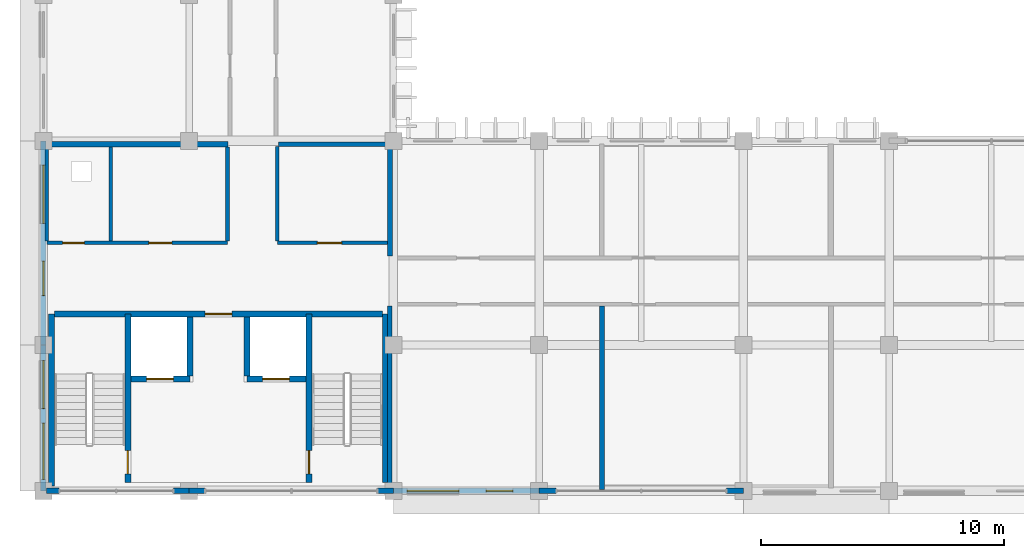
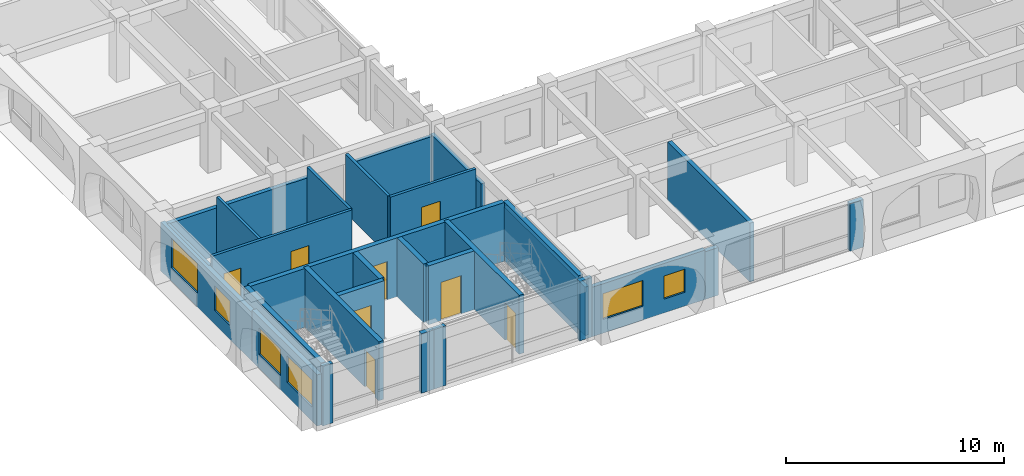
# One storey, part 46 of 88: 29 walls, 8 doors, 6 windows, 14 openings.
"""IFC4 building model written with IfcOpenShell, lengths in metres."""

from ifc_helpers import new_model, si_unit, direction, frame, frame_2d, origin, place, context, subcontext, project, spatial, rectangle, extrude, material, layer, layer_set, type_object, element, fill, save


model = new_model("IFC4")

# Units and contexts
model_context = context("Model", 3, precision=1e-05, world=origin(), true_north=direction((0.0, 1.0)))
body_context = subcontext(model_context, "Body", "Model", "MODEL_VIEW")
ifc_project = project(units=[si_unit("LENGTHUNIT", "METRE"), si_unit("AREAUNIT", "SQUARE_METRE"), si_unit("VOLUMEUNIT", "CUBIC_METRE"), si_unit("PLANEANGLEUNIT", "RADIAN"), si_unit("MASSUNIT", "GRAM", prefix="KILO"), si_unit("THERMODYNAMICTEMPERATUREUNIT", "KELVIN")], contexts=[model_context])

# Site, building, storey
site_placement = place(None, origin())
site = spatial("IfcSite", under=ifc_project, at=site_placement, CompositionType="ELEMENT")
building_placement = place(site_placement, origin())
building = spatial("IfcBuilding", under=site, at=building_placement, Name="Thalorik Housing Commons", CompositionType="ELEMENT")
storey_placement = place(building_placement, frame((0.0, 0.0, 4.5)))
storey = spatial("IfcBuildingStorey", under=building, at=storey_placement, Name="L01", CompositionType="ELEMENT", Elevation=4.5)

# Wall, opening, door
ifc_material_1 = material(Name="Concrete C40/50", Category="concrete")
ifc_layer_1 = layer(ifc_material_1, 0.25, Name="Concrete C40/50", Category="concrete")
ifc_layer_set_1 = layer_set([ifc_layer_1], Name="Concrete C40/50")
wall_type_1 = type_object("IfcWallType", Name="ARC-WAL-CORE-250", PredefinedType="SHEAR", material=ifc_layer_set_1)
wall_1_placement = place(storey_placement, frame((11.875, 8.75, 0.0), z_axis=(0.0, 0.0, 1.0), x_axis=(0.0, 1.0, 0.0)))
wall_1 = element("IfcWall", 1, at=wall_1_placement, inside=storey, type_object=wall_type_1, Name="L01 Core C Stair 1 Shear Wall", PredefinedType="SHEAR", context=body_context, shape_type="SweptSolid", body=[
    extrude(rectangle(XDim=6.925048828125, YDim=0.25, at=frame_2d((3.46240234375, 0.0))), origin(), (0.0, 0.0, 1.0), 3.300048828125),
])
opening_1_placement = place(wall_1_placement, frame((0.35009765625, 0.0, 0.0)))
opening_1 = element("IfcOpeningElement", 2, at=opening_1_placement, cuts=wall_1, Name="Opening ID-0265", PredefinedType="OPENING", context=body_context, shape_type="SweptSolid", body=[
    extrude(rectangle(XDim=0.949951171875, YDim=2.10009765625, at=frame_2d((0.47509765625, 1.050048828125))), frame((0.0, 0.135009765625, 0.0), z_axis=(0.0, -1.0, 0.0), x_axis=(1.0, 0.0, 0.0)), (0.0, 0.0, 1.0), 0.27001953125),
])
ifc_material_2 = material(Name="Steel S355", Category="steel")
door_type_1 = type_object("IfcDoorType", Name="ARC-DR-FD60-950", OperationType="NOTDEFINED", PredefinedType="DOOR", material=ifc_material_2)
door_1_placement = place(opening_1_placement, origin())
door_1 = element("IfcDoor", 3, at=door_1_placement, inside=storey, type_object=door_type_1, Name="L01 Stair ST-C1 Fire Door", OperationType="SINGLE_SWING_RIGHT", OverallHeight=2.10009765625, OverallWidth=0.949951171875, PredefinedType="DOOR", context=body_context, shape_type="SweptSolid", body=[
    extrude(rectangle(XDim=0.949951171875, YDim=2.10009765625, at=frame_2d((0.47509765625, 1.050048828125))), frame((0.0, 0.02490234375, 0.0), z_axis=(0.0, -1.0, 0.0), x_axis=(1.0, 0.0, 0.0)), (0.0, 0.0, 1.0), 0.050048828125),
])
fill(opening_1, door_1)

# Walls
wall_2_placement = place(storey_placement, frame((8.72509765625, 8.60009765625, 0.0), z_axis=(0.0, 0.0, 1.0), x_axis=(0.0, 1.0, 0.0)))
element("IfcWall", 4, at=wall_2_placement, inside=storey, type_object=wall_type_1, Name="L01 Core C Stair 1 Outer Shear Wall", PredefinedType="SHEAR", context=body_context, shape_type="SweptSolid", body=[
    extrude(rectangle(XDim=7.074951171875, YDim=0.25, at=frame_2d((3.53759765625, 0.0))), origin(), (0.0, 0.0, 1.0), 3.300048828125),
])
wall_3_placement = place(storey_placement, frame((22.47509765625, 8.75, 0.0), z_axis=(0.0, 0.0, 1.0), x_axis=(0.0, 1.0, 0.0)))
element("IfcWall", 5, at=wall_3_placement, inside=storey, type_object=wall_type_1, Name="L01 Core C Stair 2 Outer Shear Wall", PredefinedType="SHEAR", context=body_context, shape_type="SweptSolid", body=[
    extrude(rectangle(XDim=6.925048828125, YDim=0.25, at=frame_2d((3.46240234375, 0.0))), origin(), (0.0, 0.0, 1.0), 3.300048828125),
])

# Wall, opening, door
wall_4_placement = place(storey_placement, frame((19.324951171875, 8.75, 0.0), z_axis=(0.0, 0.0, 1.0), x_axis=(0.0, 1.0, 0.0)))
wall_4 = element("IfcWall", 6, at=wall_4_placement, inside=storey, type_object=wall_type_1, Name="L01 Core C Stair 2 Shear Wall", PredefinedType="SHEAR", context=body_context, shape_type="SweptSolid", body=[
    extrude(rectangle(XDim=6.925048828125, YDim=0.25, at=frame_2d((3.46240234375, 0.0))), origin(), (0.0, 0.0, 1.0), 3.300048828125),
])
opening_2_placement = place(wall_4_placement, frame((0.35009765625, 0.0, 0.0)))
opening_2 = element("IfcOpeningElement", 7, at=opening_2_placement, cuts=wall_4, Name="Opening ID-0266", PredefinedType="OPENING", context=body_context, shape_type="SweptSolid", body=[
    extrude(rectangle(XDim=0.949951171875, YDim=2.10009765625, at=frame_2d((0.47509765625, 1.050048828125))), frame((0.0, 0.135009765625, 0.0), z_axis=(0.0, -1.0, 0.0), x_axis=(1.0, 0.0, 0.0)), (0.0, 0.0, 1.0), 0.27001953125),
])
door_2_placement = place(opening_2_placement, origin())
door_2 = element("IfcDoor", 8, at=door_2_placement, inside=storey, type_object=door_type_1, Name="L01 Stair ST-C2 Fire Door", OperationType="SINGLE_SWING_LEFT", OverallHeight=2.10009765625, OverallWidth=0.949951171875, PredefinedType="DOOR", context=body_context, shape_type="SweptSolid", body=[
    extrude(rectangle(XDim=0.949951171875, YDim=2.10009765625, at=frame_2d((0.47509765625, 1.050048828125))), frame((0.0, 0.02490234375, 0.0), z_axis=(0.0, -1.0, 0.0), x_axis=(1.0, 0.0, 0.0)), (0.0, 0.0, 1.0), 0.050048828125),
])
fill(opening_2, door_2)

wall_5_placement = place(storey_placement, frame((12.0, 13.0, 0.0), z_axis=(0.0, 0.0, 1.0), x_axis=(1.0, 0.0, 0.0)))
wall_5 = element("IfcWall", 9, at=wall_5_placement, inside=storey, type_object=wall_type_1, Name="L01 Lift LF-C1 Front Shaft Wall", PredefinedType="SHEAR", context=body_context, shape_type="SweptSolid", body=[
    extrude(rectangle(XDim=2.425048828125, YDim=0.25, at=frame_2d((1.21240234375, 0.0))), origin(), (0.0, 0.0, 1.0), 3.300048828125),
])
opening_3_placement = place(wall_5_placement, frame((0.64990234375, 0.0, 0.0)))
opening_3 = element("IfcOpeningElement", 10, at=opening_3_placement, cuts=wall_5, Name="Opening LD-LF-C1-L01", PredefinedType="OPENING", context=body_context, shape_type="SweptSolid", body=[
    extrude(rectangle(XDim=1.10009765625, YDim=2.14990234375, at=frame_2d((0.550048828125, 1.074951171875))), frame((0.0, 0.135009765625, 0.0), z_axis=(0.0, -1.0, 0.0), x_axis=(1.0, 0.0, 0.0)), (0.0, 0.0, 1.0), 0.27001953125),
])
door_type_2 = type_object("IfcDoorType", Name="ARC-DR-LIFT-1100", OperationType="NOTDEFINED", PredefinedType="DOOR", material=ifc_material_2)
door_3_placement = place(opening_3_placement, origin())
door_3 = element("IfcDoor", 11, at=door_3_placement, inside=storey, type_object=door_type_2, Name="L01 Lift LF-C1 Landing Door", OperationType="SLIDING_TO_LEFT", OverallHeight=2.14990234375, OverallWidth=1.10009765625, PredefinedType="DOOR", context=body_context, shape_type="SweptSolid", body=[
    extrude(rectangle(XDim=1.10009765625, YDim=2.14990234375, at=frame_2d((0.550048828125, 1.074951171875))), frame((0.0, 0.02490234375, 0.0), z_axis=(0.0, -1.0, 0.0), x_axis=(1.0, 0.0, 0.0)), (0.0, 0.0, 1.0), 0.050048828125),
])
fill(opening_3, door_3)

wall_6_placement = place(storey_placement, frame((16.77490234375, 13.0, 0.0), z_axis=(0.0, 0.0, 1.0), x_axis=(1.0, 0.0, 0.0)))
wall_6 = element("IfcWall", 12, at=wall_6_placement, inside=storey, type_object=wall_type_1, Name="L01 Lift LP-C2 Front Shaft Wall", PredefinedType="SHEAR", context=body_context, shape_type="SweptSolid", body=[
    extrude(rectangle(XDim=2.425048828125, YDim=0.25, at=frame_2d((1.21240234375, 0.0))), origin(), (0.0, 0.0, 1.0), 3.300048828125),
])
opening_4_placement = place(wall_6_placement, frame((0.64990234375, 0.0, 0.0)))
opening_4 = element("IfcOpeningElement", 13, at=opening_4_placement, cuts=wall_6, Name="Opening LD-LP-C2-L01", PredefinedType="OPENING", context=body_context, shape_type="SweptSolid", body=[
    extrude(rectangle(XDim=1.10009765625, YDim=2.14990234375, at=frame_2d((0.550048828125, 1.074951171875))), frame((0.0, 0.135009765625, 0.0), z_axis=(0.0, -1.0, 0.0), x_axis=(1.0, 0.0, 0.0)), (0.0, 0.0, 1.0), 0.27001953125),
])
door_4_placement = place(opening_4_placement, origin())
door_4 = element("IfcDoor", 14, at=door_4_placement, inside=storey, type_object=door_type_2, Name="L01 Lift LP-C2 Landing Door", OperationType="SLIDING_TO_LEFT", OverallHeight=2.14990234375, OverallWidth=1.10009765625, PredefinedType="DOOR", context=body_context, shape_type="SweptSolid", body=[
    extrude(rectangle(XDim=1.10009765625, YDim=2.14990234375, at=frame_2d((0.550048828125, 1.074951171875))), frame((0.0, 0.02490234375, 0.0), z_axis=(0.0, -1.0, 0.0), x_axis=(1.0, 0.0, 0.0)), (0.0, 0.0, 1.0), 0.050048828125),
])
fill(opening_4, door_4)

# Walls
for number, where, z_axis, x_axis, name in (
    (15, (14.425048828125, 13.125, 0.0), (0.0, 0.0, 1.0), (0.0, 1.0, 0.0), "L01 Lift 1 Cheek Wall"),
    (16, (16.77490234375, 13.125, 0.0), (0.0, 0.0, 1.0), (0.0, 1.0, 0.0), "L01 Lift 2 Cheek Wall"),
):
    element("IfcWall", number, at=place(storey_placement, frame(where, z_axis=z_axis, x_axis=x_axis)), inside=storey, type_object=wall_type_1, Name=name, PredefinedType="SHEAR", context=body_context, shape_type="SweptSolid", body=[
        extrude(rectangle(XDim=2.425048828125, YDim=0.25, at=frame_2d((1.21240234375, 0.0))), origin(), (0.0, 0.0, 1.0), 3.300048828125),
    ])

# Wall, opening, door
wall_7_placement = place(storey_placement, frame((8.85009765625, 15.675048828125, 0.0), z_axis=(0.0, 0.0, 1.0), x_axis=(1.0, 0.0, 0.0)))
wall_7 = element("IfcWall", 17, at=wall_7_placement, inside=storey, type_object=wall_type_1, Name="L01 Core C Spine Shear Wall", PredefinedType="SHEAR", context=body_context, shape_type="SweptSolid", body=[
    extrude(rectangle(XDim=13.5, YDim=0.25, at=frame_2d((6.75, 0.0))), origin(), (0.0, 0.0, 1.0), 3.300048828125),
])
opening_5_placement = place(wall_7_placement, frame((6.199951171875, 0.0, 0.0)))
opening_5 = element("IfcOpeningElement", 18, at=opening_5_placement, cuts=wall_7, Name="Opening ID-0269", PredefinedType="OPENING", context=body_context, shape_type="SweptSolid", body=[
    extrude(rectangle(XDim=1.10009765625, YDim=2.14990234375, at=frame_2d((0.550048828125, 1.074951171875))), frame((0.0, 0.135009765625, 0.0), z_axis=(0.0, -1.0, 0.0), x_axis=(1.0, 0.0, 0.0)), (0.0, 0.0, 1.0), 0.27001953125),
])
door_type_3 = type_object("IfcDoorType", Name="ARC-DR-FD60-1100", OperationType="NOTDEFINED", PredefinedType="DOOR", material=ifc_material_2)
door_5_placement = place(opening_5_placement, origin())
door_5 = element("IfcDoor", 19, at=door_5_placement, inside=storey, type_object=door_type_3, Name="L01 Core C Lobby Fire Door", OperationType="SINGLE_SWING_RIGHT", OverallHeight=2.14990234375, OverallWidth=1.10009765625, PredefinedType="DOOR", context=body_context, shape_type="SweptSolid", body=[
    extrude(rectangle(XDim=1.10009765625, YDim=2.14990234375, at=frame_2d((0.550048828125, 1.074951171875))), frame((0.0, 0.02490234375, 0.0), z_axis=(0.0, -1.0, 0.0), x_axis=(1.0, 0.0, 0.0)), (0.0, 0.0, 1.0), 0.050048828125),
])
fill(opening_5, door_5)

# Wall, openings, windows
ifc_material_3 = material(Name="White precast concrete C40/50", Category="concrete")
ifc_layer_2 = layer(ifc_material_3, 0.235107421875, Name="White precast concrete C40/50", Category="concrete")
ifc_layer_set_2 = layer_set([ifc_layer_2], Name="White precast concrete C40/50")
wall_type_2 = type_object("IfcWallType", Name="ARC-WAL-EXT-235", PredefinedType="STANDARD", material=ifc_layer_set_2)
wall_8_placement = place(storey_placement, frame((8.39990234375, 22.800048828125, 0.0), z_axis=(0.0, 0.0, 1.0), x_axis=(0.0, -1.0, 0.0)))
wall_8 = element("IfcWall", 20, at=wall_8_placement, inside=storey, type_object=wall_type_2, Name="L01 Exterior Wall WAL-EXT-L01-C-0861", PredefinedType="STANDARD", context=body_context, shape_type="SweptSolid", body=[
    extrude(rectangle(XDim=8.400146484375, YDim=0.235107421875, at=frame_2d((4.2001953125, 0.0))), origin(), (0.0, 0.0, 1.0), 2.72509765625),
])
opening_6_placement = place(wall_8_placement, frame((0.9951171875, 0.0, 0.780029296875)))
opening_6 = element("IfcOpeningElement", 21, at=opening_6_placement, cuts=wall_8, Name="Opening W-34", PredefinedType="OPENING", context=body_context, shape_type="SweptSolid", body=[
    extrude(rectangle(XDim=2.39990234375, YDim=1.64990234375, at=frame_2d((1.199951171875, 0.824951171875))), frame((0.0, 0.12744140625, 0.0), z_axis=(0.0, -1.0, 0.0), x_axis=(1.0, 0.0, 0.0)), (0.0, 0.0, 1.0), 0.255126953125),
])
opening_7_placement = place(wall_8_placement, frame((4.952392578125, 0.0, 0.780029296875)))
opening_7 = element("IfcOpeningElement", 22, at=opening_7_placement, cuts=wall_8, Name="Opening W-50", PredefinedType="OPENING", context=body_context, shape_type="SweptSolid", body=[
    extrude(rectangle(XDim=1.419921875, YDim=1.3798828125, at=frame_2d((0.7099609375, 0.68994140625))), frame((0.0, 0.12744140625, 0.0), z_axis=(0.0, -1.0, 0.0), x_axis=(1.0, 0.0, 0.0)), (0.0, 0.0, 1.0), 0.255126953125),
])
ifc_material_4 = material(Name="Anodised aluminium and solar-control low-E glass", Category="aluminium")
window_type_1 = type_object("IfcWindowType", Name="ARC-WIN-34", PartitioningType="DOUBLE_PANEL_VERTICAL", PredefinedType="WINDOW", material=ifc_material_4)
window_1_placement = place(opening_6_placement, origin())
window_1 = element("IfcWindow", 23, at=window_1_placement, inside=storey, type_object=window_type_1, Name="L01 Facade Window 1595", OverallHeight=1.64990234375, OverallWidth=2.39990234375, PartitioningType="DOUBLE_PANEL_VERTICAL", PredefinedType="WINDOW", context=body_context, shape_type="SweptSolid", body=[
    extrude(rectangle(XDim=2.39990234375, YDim=1.64990234375, at=frame_2d((1.199951171875, 0.824951171875))), frame((0.0, 0.030029296875, 0.0), z_axis=(0.0, -1.0, 0.0), x_axis=(1.0, 0.0, 0.0)), (0.0, 0.0, 1.0), 0.06005859375),
])
fill(opening_6, window_1)
window_type_2 = type_object("IfcWindowType", Name="ARC-WIN-50", PartitioningType="SINGLE_PANEL", PredefinedType="WINDOW", material=ifc_material_4)
window_2_placement = place(opening_7_placement, origin())
window_2 = element("IfcWindow", 24, at=window_2_placement, inside=storey, type_object=window_type_2, Name="L01 Facade Window 1596", OverallHeight=1.3798828125, OverallWidth=1.419921875, PartitioningType="SINGLE_PANEL", PredefinedType="WINDOW", context=body_context, shape_type="SweptSolid", body=[
    extrude(rectangle(XDim=1.419921875, YDim=1.3798828125, at=frame_2d((0.7099609375, 0.68994140625))), frame((0.0, 0.030029296875, 0.0), z_axis=(0.0, -1.0, 0.0), x_axis=(1.0, 0.0, 0.0)), (0.0, 0.0, 1.0), 0.06005859375),
])
fill(opening_7, window_2)

wall_9_placement = place(storey_placement, frame((8.39990234375, 14.39990234375, 0.0), z_axis=(0.0, 0.0, 1.0), x_axis=(0.0, -1.0, 0.0)))
wall_9 = element("IfcWall", 25, at=wall_9_placement, inside=storey, type_object=wall_type_2, Name="L01 Exterior Wall WAL-EXT-L01-C-0862", PredefinedType="STANDARD", context=body_context, shape_type="SweptSolid", body=[
    extrude(rectangle(XDim=6.0, YDim=0.235107421875, at=frame_2d((3.0, 0.0))), origin(), (0.0, 0.0, 1.0), 2.875),
])
opening_8_placement = place(wall_9_placement, frame((0.639892578125, 0.0, 0.780029296875)))
opening_8 = element("IfcOpeningElement", 26, at=opening_8_placement, cuts=wall_9, Name="Opening W-61", PredefinedType="OPENING", context=body_context, shape_type="SweptSolid", body=[
    extrude(rectangle(XDim=1.97998046875, YDim=1.5, at=frame_2d((0.989990234375, 0.75))), frame((0.0, 0.12744140625, 0.0), z_axis=(0.0, -1.0, 0.0), x_axis=(1.0, 0.0, 0.0)), (0.0, 0.0, 1.0), 0.255126953125),
])
opening_9_placement = place(wall_9_placement, frame((3.2099609375, 0.0, 0.780029296875)))
opening_9 = element("IfcOpeningElement", 27, at=opening_9_placement, cuts=wall_9, Name="Opening W-68", PredefinedType="OPENING", context=body_context, shape_type="SweptSolid", body=[
    extrude(rectangle(XDim=2.320068359375, YDim=1.5, at=frame_2d((1.16015625, 0.75))), frame((0.0, 0.12744140625, 0.0), z_axis=(0.0, -1.0, 0.0), x_axis=(1.0, 0.0, 0.0)), (0.0, 0.0, 1.0), 0.255126953125),
])
window_type_3 = type_object("IfcWindowType", Name="ARC-WIN-61", PartitioningType="DOUBLE_PANEL_VERTICAL", PredefinedType="WINDOW", material=ifc_material_4)
window_3_placement = place(opening_8_placement, origin())
window_3 = element("IfcWindow", 28, at=window_3_placement, inside=storey, type_object=window_type_3, Name="L01 Facade Window 1597", OverallHeight=1.5, OverallWidth=1.97998046875, PartitioningType="DOUBLE_PANEL_VERTICAL", PredefinedType="WINDOW", context=body_context, shape_type="SweptSolid", body=[
    extrude(rectangle(XDim=1.97998046875, YDim=1.5, at=frame_2d((0.989990234375, 0.75))), frame((0.0, 0.030029296875, 0.0), z_axis=(0.0, -1.0, 0.0), x_axis=(1.0, 0.0, 0.0)), (0.0, 0.0, 1.0), 0.06005859375),
])
fill(opening_8, window_3)
window_type_4 = type_object("IfcWindowType", Name="ARC-WIN-68", PartitioningType="DOUBLE_PANEL_VERTICAL", PredefinedType="WINDOW", material=ifc_material_4)
window_4_placement = place(opening_9_placement, origin())
window_4 = element("IfcWindow", 29, at=window_4_placement, inside=storey, type_object=window_type_4, Name="L01 Facade Window 1598", OverallHeight=1.5, OverallWidth=2.320068359375, PartitioningType="DOUBLE_PANEL_VERTICAL", PredefinedType="WINDOW", context=body_context, shape_type="SweptSolid", body=[
    extrude(rectangle(XDim=2.320068359375, YDim=1.5, at=frame_2d((1.16015625, 0.75))), frame((0.0, 0.030029296875, 0.0), z_axis=(0.0, -1.0, 0.0), x_axis=(1.0, 0.0, 0.0)), (0.0, 0.0, 1.0), 0.06005859375),
])
fill(opening_9, window_4)

# Walls
wall_10_placement = place(storey_placement, frame((8.51953125, 8.39990234375, 0.0), z_axis=(0.0, 0.0, 1.0), x_axis=(1.0, 0.0, 0.0)))
element("IfcWall", 30, at=wall_10_placement, inside=storey, type_object=wall_type_2, Name="L01 Exterior Wall WAL-PIERL-L01-C-0863", PredefinedType="STANDARD", context=body_context, shape_type="SweptSolid", body=[
    extrude(rectangle(XDim=0.530517578125, YDim=0.235107421875, at=frame_2d((0.26513671875, 0.0))), origin(), (0.0, 0.0, 1.0), 3.340087890625),
])
wall_11_placement = place(storey_placement, frame((13.75, 8.39990234375, 0.0), z_axis=(0.0, 0.0, 1.0), x_axis=(1.0, 0.0, 0.0)))
element("IfcWall", 31, at=wall_11_placement, inside=storey, type_object=wall_type_2, Name="L01 Exterior Wall WAL-PIERR-L01-C-0863", PredefinedType="STANDARD", context=body_context, shape_type="SweptSolid", body=[
    extrude(rectangle(XDim=0.64990234375, YDim=0.235107421875, at=frame_2d((0.324951171875, 0.0))), origin(), (0.0, 0.0, 1.0), 3.340087890625),
])
for number, where, z_axis, x_axis, name in (
    (32, (14.39990234375, 8.39990234375, 0.0), (0.0, 0.0, 1.0), (1.0, 0.0, 0.0), "L01 Exterior Wall WAL-PIERL-L01-C-0864"),
    (33, (22.14990234375, 8.39990234375, 0.0), (0.0, 0.0, 1.0), (1.0, 0.0, 0.0), "L01 Exterior Wall WAL-PIERR-L01-C-0864"),
):
    element("IfcWall", number, at=place(storey_placement, frame(where, z_axis=z_axis, x_axis=x_axis)), inside=storey, type_object=wall_type_2, Name=name, PredefinedType="STANDARD", context=body_context, shape_type="SweptSolid", body=[
        extrude(rectangle(XDim=0.650146484375, YDim=0.235107421875, at=frame_2d((0.3251953125, 0.0))), origin(), (0.0, 0.0, 1.0), 3.340087890625),
    ])

# Wall, openings, windows
wall_12_placement = place(storey_placement, frame((22.800048828125, 8.39990234375, 0.0), z_axis=(0.0, 0.0, 1.0), x_axis=(1.0, 0.0, 0.0)))
wall_12 = element("IfcWall", 34, at=wall_12_placement, inside=storey, type_object=wall_type_2, Name="L01 Exterior Wall WAL-EXT-L01-C-0865", PredefinedType="STANDARD", context=body_context, shape_type="SweptSolid", body=[
    extrude(rectangle(XDim=6.0, YDim=0.235107421875, at=frame_2d((3.0, 0.0))), origin(), (0.0, 0.0, 1.0), 2.77490234375),
])
opening_10_placement = place(wall_12_placement, frame((0.570068359375, 0.0, 0.780029296875)))
opening_10 = element("IfcOpeningElement", 35, at=opening_10_placement, cuts=wall_12, Name="Opening W-64", PredefinedType="OPENING", context=body_context, shape_type="SweptSolid", body=[
    extrude(rectangle(XDim=2.1201171875, YDim=1.43994140625, at=frame_2d((1.06005859375, 0.719970703125))), frame((0.0, 0.12744140625, 0.0), z_axis=(0.0, -1.0, 0.0), x_axis=(1.0, 0.0, 0.0)), (0.0, 0.0, 1.0), 0.255126953125),
])
opening_11_placement = place(wall_12_placement, frame((3.820068359375, 0.0, 0.780029296875)))
opening_11 = element("IfcOpeningElement", 36, at=opening_11_placement, cuts=wall_12, Name="Opening W-03", PredefinedType="OPENING", context=body_context, shape_type="SweptSolid", body=[
    extrude(rectangle(XDim=1.10009765625, YDim=1.300048828125, at=frame_2d((0.550048828125, 0.64990234375))), frame((0.0, 0.12744140625, 0.0), z_axis=(0.0, -1.0, 0.0), x_axis=(1.0, 0.0, 0.0)), (0.0, 0.0, 1.0), 0.255126953125),
])
window_type_5 = type_object("IfcWindowType", Name="ARC-WIN-03", PartitioningType="SINGLE_PANEL", PredefinedType="WINDOW", material=ifc_material_4)
window_5_placement = place(opening_11_placement, origin())
window_5 = element("IfcWindow", 37, at=window_5_placement, inside=storey, type_object=window_type_5, Name="L01 Facade Window 1600", OverallHeight=1.300048828125, OverallWidth=1.10009765625, PartitioningType="SINGLE_PANEL", PredefinedType="WINDOW", context=body_context, shape_type="SweptSolid", body=[
    extrude(rectangle(XDim=1.10009765625, YDim=1.300048828125, at=frame_2d((0.550048828125, 0.64990234375))), frame((0.0, 0.030029296875, 0.0), z_axis=(0.0, -1.0, 0.0), x_axis=(1.0, 0.0, 0.0)), (0.0, 0.0, 1.0), 0.06005859375),
])
fill(opening_11, window_5)
window_type_6 = type_object("IfcWindowType", Name="ARC-WIN-64", PartitioningType="DOUBLE_PANEL_VERTICAL", PredefinedType="WINDOW", material=ifc_material_4)
window_6_placement = place(opening_10_placement, origin())
window_6 = element("IfcWindow", 38, at=window_6_placement, inside=storey, type_object=window_type_6, Name="L01 Facade Window 1599", OverallHeight=1.43994140625, OverallWidth=2.1201171875, PartitioningType="DOUBLE_PANEL_VERTICAL", PredefinedType="WINDOW", context=body_context, shape_type="SweptSolid", body=[
    extrude(rectangle(XDim=2.1201171875, YDim=1.43994140625, at=frame_2d((1.06005859375, 0.719970703125))), frame((0.0, 0.030029296875, 0.0), z_axis=(0.0, -1.0, 0.0), x_axis=(1.0, 0.0, 0.0)), (0.0, 0.0, 1.0), 0.06005859375),
])
fill(opening_10, window_6)

# Walls
for number, where, z_axis, x_axis, name in (
    (39, (28.800048828125, 8.39990234375, 0.0), (0.0, 0.0, 1.0), (1.0, 0.0, 0.0), "L01 Exterior Wall WAL-PIERL-L01-C-0866"),
    (40, (36.5, 8.39990234375, 0.0), (0.0, 0.0, 1.0), (1.0, 0.0, 0.0), "L01 Exterior Wall WAL-PIERR-L01-C-0866"),
):
    element("IfcWall", number, at=place(storey_placement, frame(where, z_axis=z_axis, x_axis=x_axis)), inside=storey, type_object=wall_type_2, Name=name, PredefinedType="STANDARD", context=body_context, shape_type="SweptSolid", body=[
        extrude(rectangle(XDim=0.699951171875, YDim=0.235107421875, at=frame_2d((0.35009765625, 0.0))), origin(), (0.0, 0.0, 1.0), 2.675048828125),
    ])
ifc_material_5 = material(Name="Ceramic masonry partition wall", Category="masonry")
ifc_layer_3 = layer(ifc_material_5, 0.14794921875, Name="Ceramic masonry partition wall", Category="masonry")
ifc_layer_set_3 = layer_set([ifc_layer_3], Name="Ceramic masonry partition wall")
wall_type_3 = type_object("IfcWallType", Name="ARC-WAL-PART-150", PredefinedType="PARTITIONING", material=ifc_layer_set_3)
wall_13_placement = place(storey_placement, frame((8.5400390625, 18.676025390625, 0.0), z_axis=(0.0, 0.0, 1.0), x_axis=(0.0, 1.0, 0.0)))
element("IfcWall", 41, at=wall_13_placement, inside=storey, type_object=wall_type_3, Name="Core West Enclosing Wall", PredefinedType="PARTITIONING", context=body_context, shape_type="SweptSolid", body=[
    extrude(rectangle(XDim=3.8720703125, YDim=0.14794921875, at=frame_2d((1.93603515625, 0.0))), origin(), (0.0, 0.0, 1.0), 2.72509765625),
])
for number, where, z_axis, x_axis, name in (
    (42, (11.175048828125, 18.676025390625, 0.0), (0.0, 0.0, 1.0), (0.0, 1.0, 0.0), "Riser Wall"),
    (43, (15.97509765625, 18.676025390625, 0.0), (0.0, 0.0, 1.0), (0.0, 1.0, 0.0), "Core Stem West Cheek Wall"),
):
    element("IfcWall", number, at=place(storey_placement, frame(where, z_axis=z_axis, x_axis=x_axis)), inside=storey, type_object=wall_type_3, Name=name, PredefinedType="PARTITIONING", context=body_context, shape_type="SweptSolid", body=[
        extrude(rectangle(XDim=3.8720703125, YDim=0.14794921875, at=frame_2d((1.93603515625, 0.0))), origin(), (0.0, 0.0, 1.0), 3.300048828125),
    ])
wall_14_placement = place(storey_placement, frame((18.02490234375, 18.676025390625, 0.0), z_axis=(0.0, 0.0, 1.0), x_axis=(0.0, 1.0, 0.0)))
element("IfcWall", 44, at=wall_14_placement, inside=storey, type_object=wall_type_3, Name="Core Stem East Cheek Wall", PredefinedType="PARTITIONING", context=body_context, shape_type="SweptSolid", body=[
    extrude(rectangle(XDim=3.889404296875, YDim=0.14794921875, at=frame_2d((1.94482421875, 0.0))), origin(), (0.0, 0.0, 1.0), 3.300048828125),
])

# Wall, openings, doors
wall_15_placement = place(storey_placement, frame((8.5400390625, 18.60009765625, 0.0), z_axis=(0.0, 0.0, 1.0), x_axis=(1.0, 0.0, 0.0)))
wall_15 = element("IfcWall", 45, at=wall_15_placement, inside=storey, type_object=wall_type_3, Name="L01 Core C West Corridor Partition", PredefinedType="PARTITIONING", context=body_context, shape_type="SweptSolid", body=[
    extrude(rectangle(XDim=7.43505859375, YDim=0.14794921875, at=frame_2d((3.717529296875, 0.0))), origin(), (0.0, 0.0, 1.0), 3.300048828125),
])
opening_12_placement = place(wall_15_placement, frame((0.64990234375, 0.0, 0.0)))
opening_12 = element("IfcOpeningElement", 46, at=opening_12_placement, cuts=wall_15, Name="Opening ID-0270", PredefinedType="OPENING", context=body_context, shape_type="SweptSolid", body=[
    extrude(rectangle(XDim=0.89990234375, YDim=2.10009765625, at=frame_2d((0.449951171875, 1.050048828125))), frame((0.0, 0.083984375, 0.0), z_axis=(0.0, -1.0, 0.0), x_axis=(1.0, 0.0, 0.0)), (0.0, 0.0, 1.0), 0.16796875),
])
opening_13_placement = place(wall_15_placement, frame((4.199951171875, 0.0, 0.0)))
opening_13 = element("IfcOpeningElement", 47, at=opening_13_placement, cuts=wall_15, Name="Opening ID-0271", PredefinedType="OPENING", context=body_context, shape_type="SweptSolid", body=[
    extrude(rectangle(XDim=0.949951171875, YDim=2.10009765625, at=frame_2d((0.47509765625, 1.050048828125))), frame((0.0, 0.083984375, 0.0), z_axis=(0.0, -1.0, 0.0), x_axis=(1.0, 0.0, 0.0)), (0.0, 0.0, 1.0), 0.16796875),
])
door_type_4 = type_object("IfcDoorType", Name="ARC-DR-FD60-900", OperationType="NOTDEFINED", PredefinedType="DOOR", material=ifc_material_2)
door_6_placement = place(opening_12_placement, origin())
door_6 = element("IfcDoor", 48, at=door_6_placement, inside=storey, type_object=door_type_4, Name="Electrical Riser Door", OperationType="SINGLE_SWING_LEFT", OverallHeight=2.10009765625, OverallWidth=0.89990234375, PredefinedType="DOOR", context=body_context, shape_type="SweptSolid", body=[
    extrude(rectangle(XDim=0.89990234375, YDim=2.10009765625, at=frame_2d((0.449951171875, 1.050048828125))), frame((0.0, 0.02490234375, 0.0), z_axis=(0.0, -1.0, 0.0), x_axis=(1.0, 0.0, 0.0)), (0.0, 0.0, 1.0), 0.050048828125),
])
fill(opening_12, door_6)
ifc_material_6 = material(Name="Engineered oak timber", Category="wood")
door_type_5 = type_object("IfcDoorType", Name="ARC-DR-INT-950", OperationType="NOTDEFINED", PredefinedType="DOOR", material=ifc_material_6)
door_7_placement = place(opening_13_placement, origin())
door_7 = element("IfcDoor", 49, at=door_7_placement, inside=storey, type_object=door_type_5, Name="Accessible Bathroom Door", OperationType="SINGLE_SWING_RIGHT", OverallHeight=2.10009765625, OverallWidth=0.949951171875, PredefinedType="DOOR", context=body_context, shape_type="SweptSolid", body=[
    extrude(rectangle(XDim=0.949951171875, YDim=2.10009765625, at=frame_2d((0.47509765625, 1.050048828125))), frame((0.0, 0.02490234375, 0.0), z_axis=(0.0, -1.0, 0.0), x_axis=(1.0, 0.0, 0.0)), (0.0, 0.0, 1.0), 0.050048828125),
])
fill(opening_13, door_7)

# Wall, opening, door
wall_16_placement = place(storey_placement, frame((18.02490234375, 18.60009765625, 0.0), z_axis=(0.0, 0.0, 1.0), x_axis=(1.0, 0.0, 0.0)))
wall_16 = element("IfcWall", 50, at=wall_16_placement, inside=storey, type_object=wall_type_3, Name="L01 Core C East Corridor Partition", PredefinedType="PARTITIONING", context=body_context, shape_type="SweptSolid", body=[
    extrude(rectangle(XDim=4.533203125, YDim=0.14794921875, at=frame_2d((2.2666015625, 0.0))), origin(), (0.0, 0.0, 1.0), 3.300048828125),
])
opening_14_placement = place(wall_16_placement, frame((1.64990234375, 0.0, 0.0)))
opening_14 = element("IfcOpeningElement", 51, at=opening_14_placement, cuts=wall_16, Name="Opening ID-0272", PredefinedType="OPENING", context=body_context, shape_type="SweptSolid", body=[
    extrude(rectangle(XDim=1.0, YDim=2.14990234375, at=frame_2d((0.5, 1.074951171875))), frame((0.0, 0.083984375, 0.0), z_axis=(0.0, -1.0, 0.0), x_axis=(1.0, 0.0, 0.0)), (0.0, 0.0, 1.0), 0.16796875),
])
door_type_6 = type_object("IfcDoorType", Name="ARC-DR-FD60-1000", OperationType="NOTDEFINED", PredefinedType="DOOR", material=ifc_material_2)
door_8_placement = place(opening_14_placement, origin())
door_8 = element("IfcDoor", 52, at=door_8_placement, inside=storey, type_object=door_type_6, Name="Core Hub Room Door", OperationType="SINGLE_SWING_LEFT", OverallHeight=2.14990234375, OverallWidth=1.0, PredefinedType="DOOR", context=body_context, shape_type="SweptSolid", body=[
    extrude(rectangle(XDim=1.0, YDim=2.14990234375, at=frame_2d((0.5, 1.074951171875))), frame((0.0, 0.02490234375, 0.0), z_axis=(0.0, -1.0, 0.0), x_axis=(1.0, 0.0, 0.0)), (0.0, 0.0, 1.0), 0.050048828125),
])
fill(opening_14, door_8)

# Walls
ifc_material_7 = material(Name="Masonry acoustic blockwork wall", Category="masonry")
ifc_layer_4 = layer(ifc_material_7, 0.18505859375, Name="Masonry acoustic blockwork wall", Category="masonry")
ifc_layer_set_4 = layer_set([ifc_layer_4], Name="Masonry acoustic blockwork wall")
wall_type_4 = type_object("IfcWallType", Name="ARC-WAL-PARTY-185", PredefinedType="PARTITIONING", material=ifc_layer_set_4)
wall_17_placement = place(storey_placement, frame((18.064453125, 22.659912109375, 0.0), z_axis=(0.0, 0.0, 1.0), x_axis=(1.0, 0.0, 0.0)))
element("IfcWall", 53, at=wall_17_placement, inside=storey, type_object=wall_type_4, Name="L01 Inter-Tenancy Wall 0B", PredefinedType="PARTITIONING", context=body_context, shape_type="SweptSolid", body=[
    extrude(rectangle(XDim=4.49365234375, YDim=0.18505859375, at=frame_2d((2.246826171875, 0.0))), origin(), (0.0, 0.0, 1.0), 2.675048828125),
])
wall_18_placement = place(storey_placement, frame((22.659912109375, 8.51953125, 0.0), z_axis=(0.0, 0.0, 1.0), x_axis=(0.0, 1.0, 0.0)))
element("IfcWall", 54, at=wall_18_placement, inside=storey, type_object=wall_type_4, Name="L01 Inter-Tenancy Wall 0A", PredefinedType="PARTITIONING", context=body_context, shape_type="SweptSolid", body=[
    extrude(rectangle(XDim=7.4833984375, YDim=0.18505859375, at=frame_2d((3.74169921875, 0.0))), origin(), (0.0, 0.0, 1.0), 2.72509765625),
])
ifc_material_8 = material(Name="Precast concrete C40/50 acoustic wall", Category="concrete")
ifc_layer_5 = layer(ifc_material_8, 0.199951171875, Name="Precast concrete C40/50 acoustic wall", Category="concrete")
ifc_layer_set_5 = layer_set([ifc_layer_5], Name="Precast concrete C40/50 acoustic wall")
wall_type_5 = type_object("IfcWallType", Name="ARC-WAL-PARTY-200", PredefinedType="PARTITIONING", material=ifc_layer_set_5)
wall_19_placement = place(storey_placement, frame((22.659912109375, 18.064453125, 0.0), z_axis=(0.0, 0.0, 1.0), x_axis=(0.0, 1.0, 0.0)))
element("IfcWall", 55, at=wall_19_placement, inside=storey, type_object=wall_type_5, Name="L01 Inter-Tenancy Wall 0B", PredefinedType="PARTITIONING", context=body_context, shape_type="SweptSolid", body=[
    extrude(rectangle(XDim=4.675537109375, YDim=0.199951171875, at=frame_2d((2.337890625, 0.0))), origin(), (0.0, 0.0, 1.0), 2.72509765625),
])
ifc_layer_6 = layer(ifc_material_8, 0.219970703125, Name="Precast concrete C40/50 acoustic wall", Category="concrete")
ifc_layer_set_6 = layer_set([ifc_layer_6], Name="Precast concrete C40/50 acoustic wall")
wall_type_6 = type_object("IfcWallType", Name="ARC-WAL-PARTY-220", PredefinedType="PARTITIONING", material=ifc_layer_set_6)
wall_20_placement = place(storey_placement, frame((8.51953125, 22.659912109375, 0.0), z_axis=(0.0, 0.0, 1.0), x_axis=(1.0, 0.0, 0.0)))
element("IfcWall", 56, at=wall_20_placement, inside=storey, type_object=wall_type_6, Name="L01 Inter-Tenancy Wall 0A", PredefinedType="PARTITIONING", context=body_context, shape_type="SweptSolid", body=[
    extrude(rectangle(XDim=7.4833984375, YDim=0.219970703125, at=frame_2d((3.74169921875, 0.0))), origin(), (0.0, 0.0, 1.0), 2.675048828125),
])
wall_21_placement = place(storey_placement, frame((31.3798828125, 8.4599609375, 0.0), z_axis=(0.0, 0.0, 1.0), x_axis=(0.0, 1.0, 0.0)))
element("IfcWall", 57, at=wall_21_placement, inside=storey, type_object=wall_type_6, Name="L01 Inter-Tenancy Wall 1A", PredefinedType="PARTITIONING", context=body_context, shape_type="SweptSolid", body=[
    extrude(rectangle(XDim=7.54296875, YDim=0.219970703125, at=frame_2d((3.771484375, 0.0))), origin(), (0.0, 0.0, 1.0), 3.300048828125),
])

save(model, "model.ifc")
